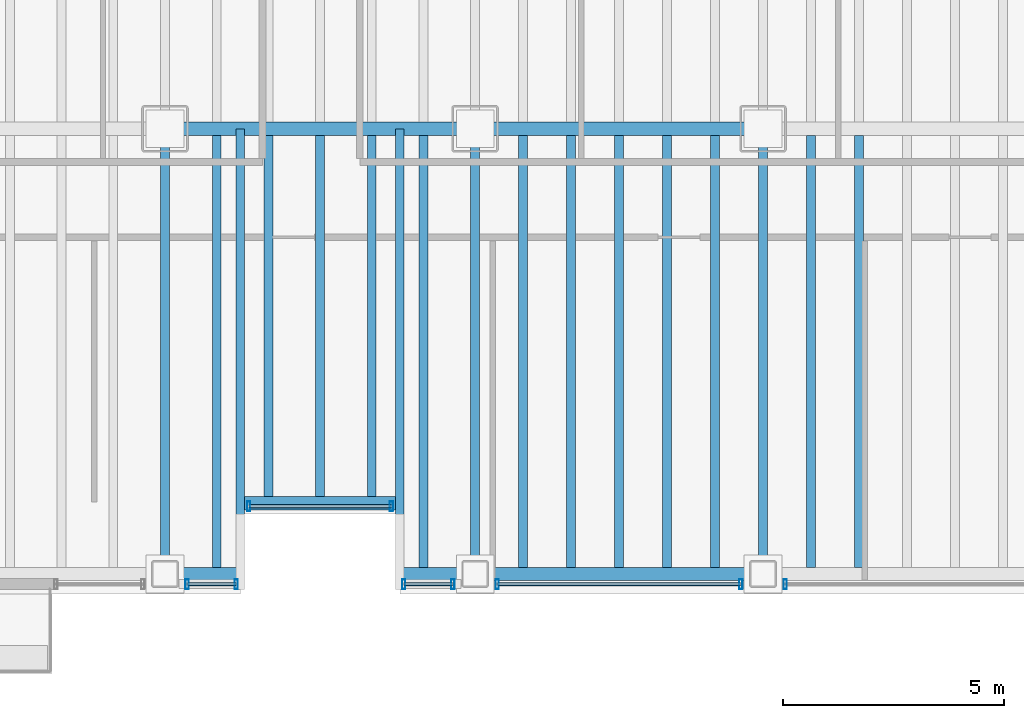
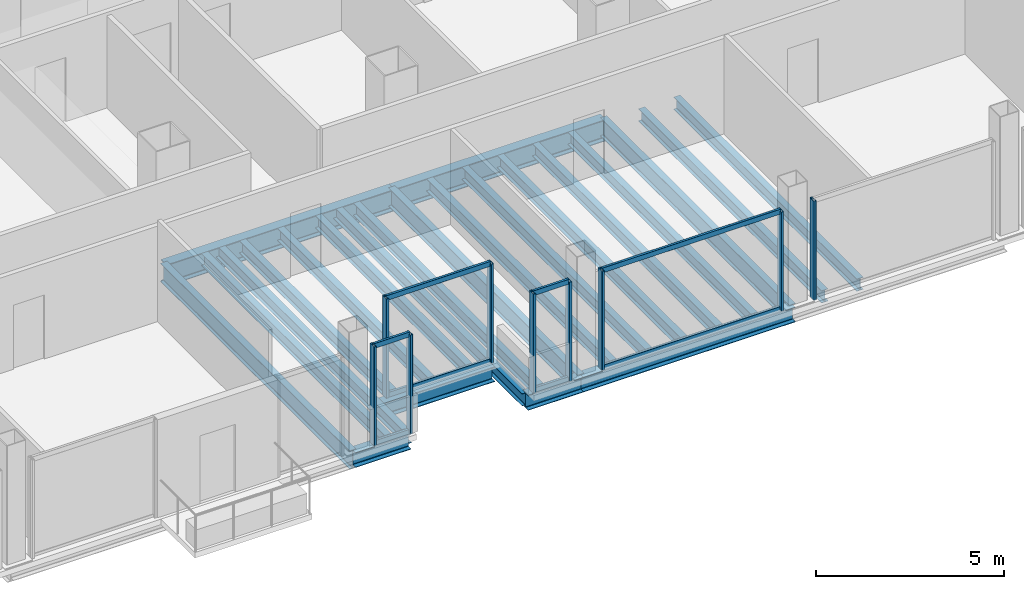
# One storey, part 5 of 21: 23 beams, 17 members, 5 elements without a shape of their own.
"""IFC4 building model written with IfcOpenShell, lengths in metres."""

from ifc_helpers import new_model, si_unit, direction, frame, origin, origin_2d, place, context, subcontext, project, spatial, hollow_rectangle, i_section, extrude, material, material_profile, profile_set, type_object, element, aggregate, save


model = new_model("IFC4")

# Units and contexts
model_context = context("Model", 3, precision=1e-05, world=origin(), true_north=direction((0.0, 1.0)))
body_context = subcontext(model_context, "Body", "Model", "MODEL_VIEW")
ifc_project = project(units=[si_unit("LENGTHUNIT", "METRE"), si_unit("AREAUNIT", "SQUARE_METRE"), si_unit("VOLUMEUNIT", "CUBIC_METRE"), si_unit("PLANEANGLEUNIT", "RADIAN"), si_unit("MASSUNIT", "GRAM", prefix="KILO")], contexts=[model_context])

# Site, building, storey
site_placement = place(None, origin())
site = spatial("IfcSite", under=ifc_project, at=site_placement, CompositionType="ELEMENT")
building_placement = place(site_placement, origin())
building = spatial("IfcBuilding", under=site, at=building_placement, Name="Noeulbin Bourse Tower", CompositionType="ELEMENT")
storey_placement = place(building_placement, frame((0.0, 0.0, 92.800048828125)))
storey = spatial("IfcBuildingStorey", under=building, at=storey_placement, Name="L23", CompositionType="ELEMENT", Elevation=92.800048828125)

# Beams
ifc_material_1 = material(Name="Steel S355", Category="steel")
ifc_material_profile_1 = material_profile(ifc_material_1, i_section(OverallWidth=0.199951171875, OverallDepth=0.60009765625, WebThickness=0.010986328125, FlangeThickness=0.01708984375, FilletRadius=0.02197265625, at=origin_2d()), Name="H-600x200x11x17", Category="LoadBearing")
ifc_profile_set_1 = profile_set([ifc_material_profile_1], Name="Steel S355")
beam_type_1 = type_object("IfcBeamType", Name="BM-GRD-600", PredefinedType="USERDEFINED", material=ifc_profile_set_1)
for number, where, z_axis, x_axis, name in (
    (1, (24.0, 9.949951171875, -0.47998046875), (0.0, 1.0, 0.0), (-1.0, 0.0, 0.0), "Tower Primary Girder NS L23-2.1"),
    (2, (31.0, 9.949951171875, -0.47998046875), (0.0, 1.0, 0.0), (-1.0, 0.0, 0.0), "Tower Primary Girder NS L23-3.1"),
    (3, (37.5, 9.949951171875, -0.47998046875), (0.0, 1.0, 0.0), (-1.0, 0.0, 0.0), "Tower Primary Girder NS L23-4.1"),
):
    element("IfcBeam", number, at=place(storey_placement, frame(where, z_axis=z_axis, x_axis=x_axis)), inside=storey, type_object=beam_type_1, Name=name, ObjectType="GIRDER", PredefinedType="USERDEFINED", context=body_context, shape_type="SweptSolid", body=[
        extrude(i_section(OverallWidth=0.199951171875, OverallDepth=0.60009765625, WebThickness=0.010986328125, FlangeThickness=0.01708984375, FilletRadius=0.02197265625, at=origin_2d()), origin(), (0.0, 0.0, 1.0), 10.050048828125),
    ])
ifc_material_profile_2 = material_profile(ifc_material_1, i_section(OverallWidth=0.300048828125, OverallDepth=0.699951171875, WebThickness=0.012939453125, FlangeThickness=0.02392578125, FilletRadius=0.02392578125, at=origin_2d()), Name="H-700x300x13x24", Category="LoadBearing")
ifc_profile_set_2 = profile_set([ifc_material_profile_2], Name="Steel S355")
beam_type_2 = type_object("IfcBeamType", Name="BM-GRD-700", PredefinedType="USERDEFINED", material=ifc_profile_set_2)
beam_1_placement = place(storey_placement, frame((24.0, 20.0, -0.530029296875), z_axis=(1.0, 0.0, 0.0), x_axis=(0.0, 1.0, 0.0)))
element("IfcBeam", 4, at=beam_1_placement, inside=storey, type_object=beam_type_2, Name="Tower Primary Girder EW L23-1.3", ObjectType="GIRDER", PredefinedType="USERDEFINED", context=body_context, shape_type="SweptSolid", body=[
    extrude(i_section(OverallWidth=0.300048828125, OverallDepth=0.699951171875, WebThickness=0.012939453125, FlangeThickness=0.02392578125, FilletRadius=0.02392578125, at=origin_2d()), origin(), (0.0, 0.0, 1.0), 7.0),
])
beam_2_placement = place(storey_placement, frame((31.0, 20.0, -0.530029296875), z_axis=(1.0, 0.0, 0.0), x_axis=(0.0, 1.0, 0.0)))
element("IfcBeam", 5, at=beam_2_placement, inside=storey, type_object=beam_type_2, Name="Tower Primary Girder EW L23-1.4", ObjectType="GIRDER", PredefinedType="USERDEFINED", context=body_context, shape_type="SweptSolid", body=[
    extrude(i_section(OverallWidth=0.300048828125, OverallDepth=0.699951171875, WebThickness=0.012939453125, FlangeThickness=0.02392578125, FilletRadius=0.02392578125, at=origin_2d()), origin(), (0.0, 0.0, 1.0), 6.5),
])
ifc_material_profile_3 = material_profile(ifc_material_1, i_section(OverallWidth=0.199951171875, OverallDepth=0.39990234375, WebThickness=0.008056640625, FlangeThickness=0.012939453125, FilletRadius=0.01611328125, at=origin_2d()), Name="H-400x200x8x13", Category="LoadBearing")
ifc_profile_set_3 = profile_set([ifc_material_profile_3], Name="Steel S355")
beam_type_3 = type_object("IfcBeamType", Name="BM-SEC-400", PredefinedType="BEAM", material=ifc_profile_set_3)
for number, where, z_axis, x_axis, name in (
    (6, (25.699951171875, 9.949951171875, -0.380126953125), (0.0, 1.0, 0.0), (-1.0, 0.0, 0.0), "BM-L23-SRT-W"),
    (7, (29.300048828125, 9.949951171875, -0.380126953125), (0.0, 1.0, 0.0), (-1.0, 0.0, 0.0), "BM-L23-SRT-E"),
):
    element("IfcBeam", number, at=place(storey_placement, frame(where, z_axis=z_axis, x_axis=x_axis)), inside=storey, type_object=beam_type_3, Name=name, PredefinedType="BEAM", context=body_context, shape_type="SweptSolid", body=[
        extrude(i_section(OverallWidth=0.199951171875, OverallDepth=0.39990234375, WebThickness=0.008056640625, FlangeThickness=0.012939453125, FilletRadius=0.01611328125, at=origin_2d()), origin(), (0.0, 0.0, 1.0), 10.050048828125),
    ])
beam_3_placement = place(storey_placement, frame((25.166748046875, 10.10009765625, -0.380126953125), z_axis=(0.0, 1.0, 0.0), x_axis=(-1.0, 0.0, 0.0)))
element("IfcBeam", 8, at=beam_3_placement, inside=storey, type_object=beam_type_3, Name="Tower Composite Joist L23-25", PredefinedType="BEAM", context=body_context, shape_type="SweptSolid", body=[
    extrude(i_section(OverallWidth=0.199951171875, OverallDepth=0.39990234375, WebThickness=0.008056640625, FlangeThickness=0.012939453125, FilletRadius=0.01611328125, at=origin_2d()), origin(), (0.0, 0.0, 1.0), 9.75),
])
for number, where, z_axis, x_axis, name in (
    (9, (26.333251953125, 11.699951171875, -0.380126953125), (0.0, 1.0, 0.0), (-1.0, 0.0, 0.0), "Tower Composite Joist L23-28"),
    (10, (27.5, 11.699951171875, -0.380126953125), (0.0, 1.0, 0.0), (-1.0, 0.0, 0.0), "Tower Composite Joist L23-31"),
    (11, (28.666748046875, 11.699951171875, -0.380126953125), (0.0, 1.0, 0.0), (-1.0, 0.0, 0.0), "Tower Composite Joist L23-34"),
):
    element("IfcBeam", number, at=place(storey_placement, frame(where, z_axis=z_axis, x_axis=x_axis)), inside=storey, type_object=beam_type_3, Name=name, PredefinedType="BEAM", context=body_context, shape_type="SweptSolid", body=[
        extrude(i_section(OverallWidth=0.199951171875, OverallDepth=0.39990234375, WebThickness=0.008056640625, FlangeThickness=0.012939453125, FilletRadius=0.01611328125, at=origin_2d()), origin(), (0.0, 0.0, 1.0), 8.150146484375),
    ])
for number, where, z_axis, x_axis, name in (
    (12, (29.833251953125, 10.10009765625, -0.380126953125), (0.0, 1.0, 0.0), (-1.0, 0.0, 0.0), "Tower Composite Joist L23-37"),
    (13, (32.083251953125, 10.10009765625, -0.380126953125), (0.0, 1.0, 0.0), (-1.0, 0.0, 0.0), "Tower Composite Joist L23-40"),
    (14, (33.166748046875, 10.10009765625, -0.380126953125), (0.0, 1.0, 0.0), (-1.0, 0.0, 0.0), "Tower Composite Joist L23-43"),
    (15, (34.25, 10.10009765625, -0.380126953125), (0.0, 1.0, 0.0), (-1.0, 0.0, 0.0), "Tower Composite Joist L23-46"),
    (16, (35.333251953125, 10.10009765625, -0.380126953125), (0.0, 1.0, 0.0), (-1.0, 0.0, 0.0), "Tower Composite Joist L23-49"),
    (17, (36.416748046875, 10.10009765625, -0.380126953125), (0.0, 1.0, 0.0), (-1.0, 0.0, 0.0), "Tower Composite Joist L23-52"),
    (18, (38.583251953125, 10.10009765625, -0.380126953125), (0.0, 1.0, 0.0), (-1.0, 0.0, 0.0), "Tower Composite Joist L23-55"),
    (19, (39.666748046875, 10.10009765625, -0.380126953125), (0.0, 1.0, 0.0), (-1.0, 0.0, 0.0), "Tower Composite Joist L23-58"),
):
    element("IfcBeam", number, at=place(storey_placement, frame(where, z_axis=z_axis, x_axis=x_axis)), inside=storey, type_object=beam_type_3, Name=name, PredefinedType="BEAM", context=body_context, shape_type="SweptSolid", body=[
        extrude(i_section(OverallWidth=0.199951171875, OverallDepth=0.39990234375, WebThickness=0.008056640625, FlangeThickness=0.012939453125, FilletRadius=0.01611328125, at=origin_2d()), origin(), (0.0, 0.0, 1.0), 9.75),
    ])
ifc_material_profile_4 = material_profile(ifc_material_1, i_section(OverallWidth=0.300048828125, OverallDepth=0.488037109375, WebThickness=0.010986328125, FlangeThickness=0.01806640625, FilletRadius=0.02197265625, at=origin_2d()), Name="H-488x300x11x18", Category="LoadBearing")
ifc_profile_set_4 = profile_set([ifc_material_profile_4], Name="Steel S355")
beam_type_4 = type_object("IfcBeamType", Name="BM-SPN-488", PredefinedType="SPANDREL", material=ifc_profile_set_4)
beam_4_placement = place(storey_placement, frame((25.800048828125, 11.550048828125, -0.424072265625), z_axis=(1.0, 0.0, 0.0), x_axis=(0.0, 1.0, 0.0)))
element("IfcBeam", 20, at=beam_4_placement, inside=storey, type_object=beam_type_4, Name="South Recess Spandrel L23-2B", PredefinedType="SPANDREL", context=body_context, shape_type="SweptSolid", body=[
    extrude(i_section(OverallWidth=0.300048828125, OverallDepth=0.488037109375, WebThickness=0.010986328125, FlangeThickness=0.01806640625, FilletRadius=0.02197265625, at=origin_2d()), origin(), (0.0, 0.0, 1.0), 3.39990234375),
])
for number, where, z_axis, x_axis, name in (
    (21, (24.0, 9.949951171875, -0.424072265625), (1.0, 0.0, 0.0), (0.0, 1.0, 0.0), "South Spandrel L23-2A"),
    (22, (29.300048828125, 9.949951171875, -0.424072265625), (1.0, 0.0, 0.0), (0.0, 1.0, 0.0), "South Spandrel L23-2C"),
):
    element("IfcBeam", number, at=place(storey_placement, frame(where, z_axis=z_axis, x_axis=x_axis)), inside=storey, type_object=beam_type_4, Name=name, PredefinedType="SPANDREL", context=body_context, shape_type="SweptSolid", body=[
        extrude(i_section(OverallWidth=0.300048828125, OverallDepth=0.488037109375, WebThickness=0.010986328125, FlangeThickness=0.01806640625, FilletRadius=0.02197265625, at=origin_2d()), origin(), (0.0, 0.0, 1.0), 1.699951171875),
    ])
beam_5_placement = place(storey_placement, frame((31.0, 9.949951171875, -0.424072265625), z_axis=(1.0, 0.0, 0.0), x_axis=(0.0, 1.0, 0.0)))
element("IfcBeam", 23, at=beam_5_placement, inside=storey, type_object=beam_type_4, Name="South Spandrel L23-3", PredefinedType="SPANDREL", context=body_context, shape_type="SweptSolid", body=[
    extrude(i_section(OverallWidth=0.300048828125, OverallDepth=0.488037109375, WebThickness=0.010986328125, FlangeThickness=0.01806640625, FilletRadius=0.02197265625, at=origin_2d()), origin(), (0.0, 0.0, 1.0), 6.5),
])

# Curtain wall, members
ifc_material_2 = material(Name="Dark Solar-Control Double Glazing", Category="glass")
curtain_wall_type = type_object("IfcCurtainWallType", Name="CW-SYS-2", PredefinedType="NOTDEFINED", material=ifc_material_2)
curtain_wall_1_placement = place(storey_placement, origin())
curtain_wall_1 = element("IfcCurtainWall", 24, at=curtain_wall_1_placement, inside=storey, type_object=curtain_wall_type, Name="Unitised Curtain Wall CW-L23-SREC", PredefinedType="NOTDEFINED")
ifc_material_3 = material(Name="Anodised Aluminium 6063-T6", Category="aluminium")
ifc_material_profile_5 = material_profile(ifc_material_3, hollow_rectangle(XDim=0.074951171875, YDim=0.219970703125, WallThickness=0.0048828125, InnerFilletRadius=0.00244140625, OuterFilletRadius=0.0048828125, at=origin_2d()), Name="ALU-MULL-75x220x5", Category="LoadBearing")
ifc_profile_set_5 = profile_set([ifc_material_profile_5], Name="Anodised Aluminium 6063-T6")
member_type_1 = type_object("IfcMemberType", Name="CW-SYS-2-MUL", PredefinedType="MULLION", material=ifc_profile_set_5)
member_1_placement = place(storey_placement, frame((25.889892578125, 11.47998046875, -0.02001953125), z_axis=(0.0, 0.0, 1.0), x_axis=(1.0, 0.0, 0.0)))
member_1 = element("IfcMember", 25, at=member_1_placement, type_object=member_type_1, Name="Curtain Wall Mullion CW-L23-SREC-M00", PredefinedType="MULLION", context=body_context, shape_type="SweptSolid", body=[
    extrude(hollow_rectangle(XDim=0.074951171875, YDim=0.219970703125, WallThickness=0.0048828125, InnerFilletRadius=0.00244140625, OuterFilletRadius=0.0048828125, at=origin_2d()), origin(), (0.0, 0.0, 1.0), 3.219970703125),
])
member_2_placement = place(storey_placement, frame((29.110107421875, 11.47998046875, -0.02001953125), z_axis=(0.0, 0.0, 1.0), x_axis=(1.0, 0.0, 0.0)))
member_2 = element("IfcMember", 26, at=member_2_placement, type_object=member_type_1, Name="Curtain Wall Mullion CW-L23-SREC-M01", PredefinedType="MULLION", context=body_context, shape_type="SweptSolid", body=[
    extrude(hollow_rectangle(XDim=0.074951171875, YDim=0.219970703125, WallThickness=0.0048828125, InnerFilletRadius=0.00244140625, OuterFilletRadius=0.0048828125, at=origin_2d()), origin(), (0.0, 0.0, 1.0), 3.219970703125),
])

curtain_wall_2_placement = place(storey_placement, origin())
curtain_wall_2 = element("IfcCurtainWall", 27, at=curtain_wall_2_placement, inside=storey, type_object=curtain_wall_type, Name="Unitised Curtain Wall CW-L23-S2-S2", PredefinedType="NOTDEFINED")
member_3_placement = place(storey_placement, frame((24.5, 9.719970703125, -0.02001953125), z_axis=(0.0, 0.0, 1.0), x_axis=(1.0, 0.0, 0.0)))
member_3 = element("IfcMember", 28, at=member_3_placement, type_object=member_type_1, Name="Curtain Wall Mullion CW-L23-S2-S2-M00", PredefinedType="MULLION", context=body_context, shape_type="SweptSolid", body=[
    extrude(hollow_rectangle(XDim=0.074951171875, YDim=0.219970703125, WallThickness=0.0048828125, InnerFilletRadius=0.00244140625, OuterFilletRadius=0.0048828125, at=origin_2d()), origin(), (0.0, 0.0, 1.0), 3.219970703125),
])
member_4_placement = place(storey_placement, frame((25.610107421875, 9.719970703125, -0.02001953125), z_axis=(0.0, 0.0, 1.0), x_axis=(1.0, 0.0, 0.0)))
member_4 = element("IfcMember", 29, at=member_4_placement, type_object=member_type_1, Name="Curtain Wall Mullion CW-L23-S2-S2-M01", PredefinedType="MULLION", context=body_context, shape_type="SweptSolid", body=[
    extrude(hollow_rectangle(XDim=0.074951171875, YDim=0.219970703125, WallThickness=0.0048828125, InnerFilletRadius=0.00244140625, OuterFilletRadius=0.0048828125, at=origin_2d()), origin(), (0.0, 0.0, 1.0), 3.219970703125),
])

curtain_wall_3_placement = place(storey_placement, origin())
curtain_wall_3 = element("IfcCurtainWall", 30, at=curtain_wall_3_placement, inside=storey, type_object=curtain_wall_type, Name="Unitised Curtain Wall CW-L23-S3-S1", PredefinedType="NOTDEFINED")
member_5_placement = place(storey_placement, frame((29.389892578125, 9.719970703125, -0.02001953125), z_axis=(0.0, 0.0, 1.0), x_axis=(1.0, 0.0, 0.0)))
member_5 = element("IfcMember", 31, at=member_5_placement, type_object=member_type_1, Name="Curtain Wall Mullion CW-L23-S3-S1-M00", PredefinedType="MULLION", context=body_context, shape_type="SweptSolid", body=[
    extrude(hollow_rectangle(XDim=0.074951171875, YDim=0.219970703125, WallThickness=0.0048828125, InnerFilletRadius=0.00244140625, OuterFilletRadius=0.0048828125, at=origin_2d()), origin(), (0.0, 0.0, 1.0), 3.219970703125),
])
member_6_placement = place(storey_placement, frame((30.5, 9.719970703125, -0.02001953125), z_axis=(0.0, 0.0, 1.0), x_axis=(1.0, 0.0, 0.0)))
member_6 = element("IfcMember", 32, at=member_6_placement, type_object=member_type_1, Name="Curtain Wall Mullion CW-L23-S3-S1-M01", PredefinedType="MULLION", context=body_context, shape_type="SweptSolid", body=[
    extrude(hollow_rectangle(XDim=0.074951171875, YDim=0.219970703125, WallThickness=0.0048828125, InnerFilletRadius=0.00244140625, OuterFilletRadius=0.0048828125, at=origin_2d()), origin(), (0.0, 0.0, 1.0), 3.219970703125),
])

curtain_wall_4_placement = place(storey_placement, origin())
curtain_wall_4 = element("IfcCurtainWall", 33, at=curtain_wall_4_placement, inside=storey, type_object=curtain_wall_type, Name="Unitised Curtain Wall CW-L23-S3-S2", PredefinedType="NOTDEFINED")
member_7_placement = place(storey_placement, frame((31.5, 9.719970703125, -0.02001953125), z_axis=(0.0, 0.0, 1.0), x_axis=(1.0, 0.0, 0.0)))
member_7 = element("IfcMember", 34, at=member_7_placement, type_object=member_type_1, Name="Curtain Wall Mullion CW-L23-S3-S2-M00", PredefinedType="MULLION", context=body_context, shape_type="SweptSolid", body=[
    extrude(hollow_rectangle(XDim=0.074951171875, YDim=0.219970703125, WallThickness=0.0048828125, InnerFilletRadius=0.00244140625, OuterFilletRadius=0.0048828125, at=origin_2d()), origin(), (0.0, 0.0, 1.0), 3.219970703125),
])
member_8_placement = place(storey_placement, frame((37.0, 9.719970703125, -0.02001953125), z_axis=(0.0, 0.0, 1.0), x_axis=(1.0, 0.0, 0.0)))
member_8 = element("IfcMember", 35, at=member_8_placement, type_object=member_type_1, Name="Curtain Wall Mullion CW-L23-S3-S2-M01", PredefinedType="MULLION", context=body_context, shape_type="SweptSolid", body=[
    extrude(hollow_rectangle(XDim=0.074951171875, YDim=0.219970703125, WallThickness=0.0048828125, InnerFilletRadius=0.00244140625, OuterFilletRadius=0.0048828125, at=origin_2d()), origin(), (0.0, 0.0, 1.0), 3.219970703125),
])

# Curtain wall, member
curtain_wall_5_placement = place(storey_placement, origin())
curtain_wall_5 = element("IfcCurtainWall", 36, at=curtain_wall_5_placement, inside=storey, type_object=curtain_wall_type, Name="Unitised Curtain Wall CW-L23-S3-S3", PredefinedType="NOTDEFINED")
member_9_placement = place(storey_placement, frame((38.0, 9.719970703125, -0.02001953125), z_axis=(0.0, 0.0, 1.0), x_axis=(1.0, 0.0, 0.0)))
member_9 = element("IfcMember", 37, at=member_9_placement, type_object=member_type_1, Name="Curtain Wall Mullion CW-L23-S3-S3-M00", PredefinedType="MULLION", context=body_context, shape_type="SweptSolid", body=[
    extrude(hollow_rectangle(XDim=0.074951171875, YDim=0.219970703125, WallThickness=0.0048828125, InnerFilletRadius=0.00244140625, OuterFilletRadius=0.0048828125, at=origin_2d()), origin(), (0.0, 0.0, 1.0), 3.219970703125),
])
aggregate(curtain_wall_5, [member_9])

# Member
ifc_material_profile_6 = material_profile(ifc_material_3, hollow_rectangle(XDim=0.074951171875, YDim=0.159912109375, WallThickness=0.0048828125, InnerFilletRadius=0.00244140625, OuterFilletRadius=0.0048828125, at=origin_2d()), Name="ALU-TRAN-75x160x5", Category="LoadBearing")
ifc_profile_set_6 = profile_set([ifc_material_profile_6], Name="Anodised Aluminium 6063-T6")
member_type_2 = type_object("IfcMemberType", Name="CW-SYS-2-TRN", PredefinedType="USERDEFINED", material=ifc_profile_set_6)
member_10_placement = place(storey_placement, frame((25.89990234375, 11.47998046875, 0.010009765625), z_axis=(1.0, 0.0, 0.0), x_axis=(0.0, 1.0, 0.0)))
member_10 = element("IfcMember", 38, at=member_10_placement, type_object=member_type_2, Name="Curtain Wall Transom CW-L23-SREC-T00", ObjectType="TRANSOM", PredefinedType="USERDEFINED", context=body_context, shape_type="SweptSolid", body=[
    extrude(hollow_rectangle(XDim=0.074951171875, YDim=0.159912109375, WallThickness=0.0048828125, InnerFilletRadius=0.00244140625, OuterFilletRadius=0.0048828125, at=origin_2d()), origin(), (0.0, 0.0, 1.0), 3.2001953125),
])

member_11_placement = place(storey_placement, frame((25.89990234375, 11.47998046875, 3.169921875), z_axis=(1.0, 0.0, 0.0), x_axis=(0.0, 1.0, 0.0)))
member_11 = element("IfcMember", 39, at=member_11_placement, type_object=member_type_2, Name="Curtain Wall Transom CW-L23-SREC-T01", ObjectType="TRANSOM", PredefinedType="USERDEFINED", context=body_context, shape_type="SweptSolid", body=[
    extrude(hollow_rectangle(XDim=0.074951171875, YDim=0.159912109375, WallThickness=0.0048828125, InnerFilletRadius=0.00244140625, OuterFilletRadius=0.0048828125, at=origin_2d()), origin(), (0.0, 0.0, 1.0), 3.2001953125),
])

aggregate(curtain_wall_1, [member_1, member_2, member_10, member_11])

member_12_placement = place(storey_placement, frame((24.510009765625, 9.719970703125, 0.010009765625), z_axis=(1.0, 0.0, 0.0), x_axis=(0.0, 1.0, 0.0)))
member_12 = element("IfcMember", 40, at=member_12_placement, type_object=member_type_2, Name="Curtain Wall Transom CW-L23-S2-S2-T00", ObjectType="TRANSOM", PredefinedType="USERDEFINED", context=body_context, shape_type="SweptSolid", body=[
    extrude(hollow_rectangle(XDim=0.074951171875, YDim=0.159912109375, WallThickness=0.0048828125, InnerFilletRadius=0.00244140625, OuterFilletRadius=0.0048828125, at=origin_2d()), origin(), (0.0, 0.0, 1.0), 1.090087890625),
])

member_13_placement = place(storey_placement, frame((24.510009765625, 9.719970703125, 3.169921875), z_axis=(1.0, 0.0, 0.0), x_axis=(0.0, 1.0, 0.0)))
member_13 = element("IfcMember", 41, at=member_13_placement, type_object=member_type_2, Name="Curtain Wall Transom CW-L23-S2-S2-T01", ObjectType="TRANSOM", PredefinedType="USERDEFINED", context=body_context, shape_type="SweptSolid", body=[
    extrude(hollow_rectangle(XDim=0.074951171875, YDim=0.159912109375, WallThickness=0.0048828125, InnerFilletRadius=0.00244140625, OuterFilletRadius=0.0048828125, at=origin_2d()), origin(), (0.0, 0.0, 1.0), 1.090087890625),
])

aggregate(curtain_wall_2, [member_3, member_4, member_12, member_13])

member_14_placement = place(storey_placement, frame((29.39990234375, 9.719970703125, 0.010009765625), z_axis=(1.0, 0.0, 0.0), x_axis=(0.0, 1.0, 0.0)))
member_14 = element("IfcMember", 42, at=member_14_placement, type_object=member_type_2, Name="Curtain Wall Transom CW-L23-S3-S1-T00", ObjectType="TRANSOM", PredefinedType="USERDEFINED", context=body_context, shape_type="SweptSolid", body=[
    extrude(hollow_rectangle(XDim=0.074951171875, YDim=0.159912109375, WallThickness=0.0048828125, InnerFilletRadius=0.00244140625, OuterFilletRadius=0.0048828125, at=origin_2d()), origin(), (0.0, 0.0, 1.0), 1.090087890625),
])

member_15_placement = place(storey_placement, frame((29.39990234375, 9.719970703125, 3.169921875), z_axis=(1.0, 0.0, 0.0), x_axis=(0.0, 1.0, 0.0)))
member_15 = element("IfcMember", 43, at=member_15_placement, type_object=member_type_2, Name="Curtain Wall Transom CW-L23-S3-S1-T01", ObjectType="TRANSOM", PredefinedType="USERDEFINED", context=body_context, shape_type="SweptSolid", body=[
    extrude(hollow_rectangle(XDim=0.074951171875, YDim=0.159912109375, WallThickness=0.0048828125, InnerFilletRadius=0.00244140625, OuterFilletRadius=0.0048828125, at=origin_2d()), origin(), (0.0, 0.0, 1.0), 1.090087890625),
])

aggregate(curtain_wall_3, [member_5, member_6, member_14, member_15])

member_16_placement = place(storey_placement, frame((31.510009765625, 9.719970703125, 0.010009765625), z_axis=(1.0, 0.0, 0.0), x_axis=(0.0, 1.0, 0.0)))
member_16 = element("IfcMember", 44, at=member_16_placement, type_object=member_type_2, Name="Curtain Wall Transom CW-L23-S3-S2-T00", ObjectType="TRANSOM", PredefinedType="USERDEFINED", context=body_context, shape_type="SweptSolid", body=[
    extrude(hollow_rectangle(XDim=0.074951171875, YDim=0.159912109375, WallThickness=0.0048828125, InnerFilletRadius=0.00244140625, OuterFilletRadius=0.0048828125, at=origin_2d()), origin(), (0.0, 0.0, 1.0), 5.47998046875),
])

member_17_placement = place(storey_placement, frame((31.510009765625, 9.719970703125, 3.169921875), z_axis=(1.0, 0.0, 0.0), x_axis=(0.0, 1.0, 0.0)))
member_17 = element("IfcMember", 45, at=member_17_placement, type_object=member_type_2, Name="Curtain Wall Transom CW-L23-S3-S2-T01", ObjectType="TRANSOM", PredefinedType="USERDEFINED", context=body_context, shape_type="SweptSolid", body=[
    extrude(hollow_rectangle(XDim=0.074951171875, YDim=0.159912109375, WallThickness=0.0048828125, InnerFilletRadius=0.00244140625, OuterFilletRadius=0.0048828125, at=origin_2d()), origin(), (0.0, 0.0, 1.0), 5.47998046875),
])

aggregate(curtain_wall_4, [member_7, member_8, member_16, member_17])

save(model, "model.ifc")
